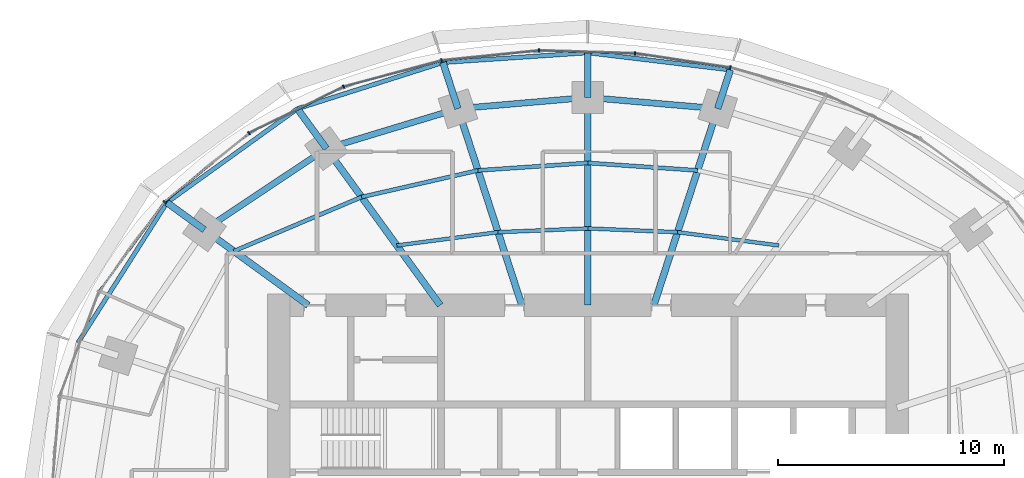
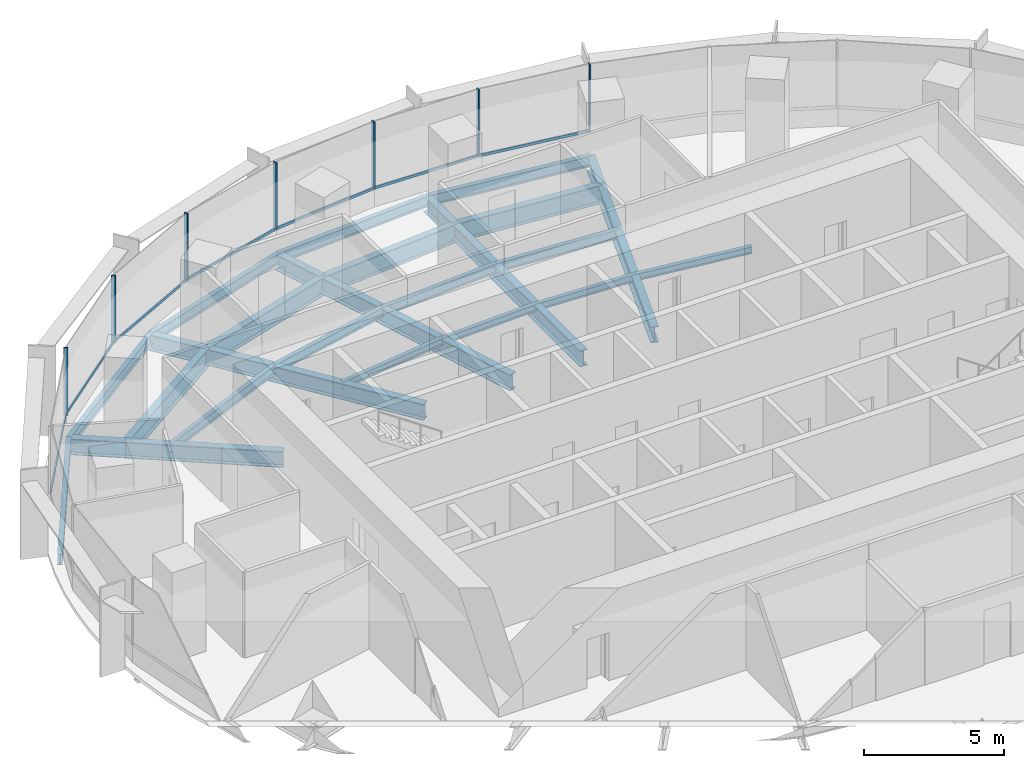
# One storey, part 7 of 14: 27 beams, 14 members, 2 elements without a shape of their own.
"""IFC4 building model written with IfcOpenShell, lengths in metres."""

from ifc_helpers import new_model, si_unit, direction, frame, origin, origin_2d, place, context, subcontext, project, spatial, rectangle, i_section, extrude, material, material_profile, profile_set, type_object, element, aggregate, save


model = new_model("IFC4")

# Units and contexts
model_context = context("Model", 3, precision=1e-05, world=origin(), true_north=direction((0.0, 1.0)))
body_context = subcontext(model_context, "Body", "Model", "MODEL_VIEW")
ifc_project = project(units=[si_unit("LENGTHUNIT", "METRE"), si_unit("AREAUNIT", "SQUARE_METRE"), si_unit("VOLUMEUNIT", "CUBIC_METRE"), si_unit("PLANEANGLEUNIT", "RADIAN"), si_unit("MASSUNIT", "GRAM", prefix="KILO")], contexts=[model_context])

# Site, building, storey
site_placement = place(None, origin())
site = spatial("IfcSite", under=ifc_project, at=site_placement, CompositionType="ELEMENT")
building_placement = place(site_placement, origin())
building = spatial("IfcBuilding", under=site, at=building_placement, Name="Marramba Exchange Tower", CompositionType="ELEMENT")
storey_placement = place(building_placement, frame((0.0, 0.0, 195.5)))
storey = spatial("IfcBuildingStorey", under=building, at=storey_placement, Name="L47", CompositionType="ELEMENT", Elevation=195.5)

# Beams
ifc_material_1 = material(Name="Steel AS/NZS 3679.2 grade 300", Category="steel")
ifc_material_profile_1 = material_profile(ifc_material_1, i_section(OverallWidth=0.300048828125, OverallDepth=0.699951171875, WebThickness=0.010009765625, FlangeThickness=0.031982421875, at=origin_2d()), Name="700WB173")
ifc_profile_set_1 = profile_set([ifc_material_profile_1], Name="Steel AS/NZS 3679.2 grade 300")
beam_type_1 = type_object("IfcBeamType", Name="Cantilever girder 700WB173", PredefinedType="BEAM", material=ifc_profile_set_1)
beam_1_placement = place(storey_placement, frame((5.75390625, 17.70849609375, -0.510009765625), z_axis=(0.308960771946, 0.951074782232, 0.0), x_axis=(-0.951074782232, 0.308960771946, 0.0)))
element("IfcBeam", 1, at=beam_1_placement, inside=storey, type_object=beam_type_1, Name="Cantilever girder L47 TC05", PredefinedType="BEAM", context=body_context, shape_type="SweptSolid", body=[
    extrude(i_section(OverallWidth=0.300048828125, OverallDepth=0.699951171875, WebThickness=0.010009765625, FlangeThickness=0.031982421875, at=origin_2d()), origin(), (0.0, 0.0, 1.0), 1.806396484375),
])
beam_2_placement = place(storey_placement, frame((0.0, 18.2041015625, -0.510009765625), z_axis=(0.0, 1.0, 0.0), x_axis=(-1.0, 0.0, 0.0)))
element("IfcBeam", 2, at=beam_2_placement, inside=storey, type_object=beam_type_1, Name="Cantilever girder L47 TC06", PredefinedType="BEAM", context=body_context, shape_type="SweptSolid", body=[
    extrude(i_section(OverallWidth=0.300048828125, OverallDepth=0.699951171875, WebThickness=0.010009765625, FlangeThickness=0.031982421875, at=origin_2d()), origin(), (0.0, 0.0, 1.0), 1.982177734375),
])
beam_3_placement = place(storey_placement, frame((-5.75390625, 17.70849609375, -0.510009765625), z_axis=(-0.308998798068, 0.951062428441, 0.0), x_axis=(-0.951062428441, -0.308998798068, 0.0)))
element("IfcBeam", 3, at=beam_3_placement, inside=storey, type_object=beam_type_1, Name="Cantilever girder L47 TC07", PredefinedType="BEAM", context=body_context, shape_type="SweptSolid", body=[
    extrude(i_section(OverallWidth=0.300048828125, OverallDepth=0.699951171875, WebThickness=0.010009765625, FlangeThickness=0.031982421875, at=origin_2d()), origin(), (0.0, 0.0, 1.0), 2.150634765625),
])
beam_4_placement = place(storey_placement, frame((-11.581298828125, 15.9404296875, -0.510009765625), z_axis=(-0.587832433352, 0.808982713226, 0.0), x_axis=(-0.808982713226, -0.587832433352, 0.0)))
element("IfcBeam", 4, at=beam_4_placement, inside=storey, type_object=beam_type_1, Name="Cantilever girder L47 TC08", PredefinedType="BEAM", context=body_context, shape_type="SweptSolid", body=[
    extrude(i_section(OverallWidth=0.300048828125, OverallDepth=0.699951171875, WebThickness=0.010009765625, FlangeThickness=0.031982421875, at=origin_2d()), origin(), (0.0, 0.0, 1.0), 2.1826171875),
])
beam_5_placement = place(storey_placement, frame((-16.98583984375, 12.3408203125, -0.510009765625), z_axis=(-0.808962446125, 0.587860324192, 0.0), x_axis=(-0.587860324192, -0.808962446125, 0.0)))
element("IfcBeam", 5, at=beam_5_placement, inside=storey, type_object=beam_type_1, Name="Cantilever girder L47 TC09", PredefinedType="BEAM", context=body_context, shape_type="SweptSolid", body=[
    extrude(i_section(OverallWidth=0.300048828125, OverallDepth=0.699951171875, WebThickness=0.010009765625, FlangeThickness=0.031982421875, at=origin_2d()), origin(), (0.0, 0.0, 1.0), 2.051513671875),
])
ifc_material_2 = material(Name="Steel AS/NZS 3679.1 grade 300", Category="steel")
ifc_material_profile_2 = material_profile(ifc_material_2, i_section(OverallWidth=0.166015625, OverallDepth=0.306884765625, WebThickness=0.006591796875, FlangeThickness=0.01171875, FilletRadius=0.011474609375, at=origin_2d()), Name="310UB46.2")
ifc_profile_set_2 = profile_set([ifc_material_profile_2], Name="Steel AS/NZS 3679.1 grade 300")
beam_type_2 = type_object("IfcBeamType", Name="Floor joist 310UB46.2", PredefinedType="JOIST", material=ifc_profile_set_2)
beam_6_placement = place(storey_placement, frame((8.4619140625, 11.646728515625, -0.3134765625), z_axis=(-0.991480538255, 0.130254912618, 0.0), x_axis=(-0.130254912618, -0.991480538255, 0.0)))
element("IfcBeam", 6, at=beam_6_placement, inside=storey, type_object=beam_type_2, Name="Joist L47 bay 04 row 1", PredefinedType="JOIST", context=body_context, shape_type="SweptSolid", body=[
    extrude(i_section(OverallWidth=0.166015625, OverallDepth=0.306884765625, WebThickness=0.006591796875, FlangeThickness=0.01171875, FilletRadius=0.011474609375, at=origin_2d()), origin(), (0.0, 0.0, 1.0), 4.524658203125),
])
for number, where, z_axis, x_axis, name in (
    (7, (3.975830078125, 12.236083984375, -0.3134765625), (-0.999137002892, 0.041536122257, 0.0), (-0.041536122257, -0.999137002892, 0.0), "Joist L47 bay 05 row 1"),
    (8, (0.0, 12.4013671875, -0.3134765625), (-0.999137002892, -0.041536122257, 0.0), (0.041536122257, -0.999137002892, 0.0), "Joist L47 bay 06 row 1"),
):
    element("IfcBeam", number, at=place(storey_placement, frame(where, z_axis=z_axis, x_axis=x_axis)), inside=storey, type_object=beam_type_2, Name=name, PredefinedType="JOIST", context=body_context, shape_type="SweptSolid", body=[
        extrude(i_section(OverallWidth=0.166015625, OverallDepth=0.306884765625, WebThickness=0.006591796875, FlangeThickness=0.01171875, FilletRadius=0.011474609375, at=origin_2d()), origin(), (0.0, 0.0, 1.0), 3.979248046875),
    ])
beam_7_placement = place(storey_placement, frame((-3.975830078125, 12.236083984375, -0.3134765625), z_axis=(-0.991480538255, -0.130254912618, 0.0), x_axis=(0.130254912618, -0.991480538255, 0.0)))
element("IfcBeam", 9, at=beam_7_placement, inside=storey, type_object=beam_type_2, Name="Joist L47 bay 07 row 1", PredefinedType="JOIST", context=body_context, shape_type="SweptSolid", body=[
    extrude(i_section(OverallWidth=0.166015625, OverallDepth=0.306884765625, WebThickness=0.006591796875, FlangeThickness=0.01171875, FilletRadius=0.011474609375, at=origin_2d()), origin(), (0.0, 0.0, 1.0), 4.524658203125),
])
ifc_material_profile_3 = material_profile(ifc_material_2, i_section(OverallWidth=0.177978515625, OverallDepth=0.406005859375, WebThickness=0.0078125, FlangeThickness=0.0126953125, FilletRadius=0.011474609375, at=origin_2d()), Name="410UB59.7")
ifc_profile_set_3 = profile_set([ifc_material_profile_3], Name="Steel AS/NZS 3679.1 grade 300")
beam_type_3 = type_object("IfcBeamType", Name="Floor joist 410UB59.7", PredefinedType="JOIST", material=ifc_profile_set_3)
for number, where, z_axis, x_axis, name in (
    (10, (4.86474609375, 14.972412109375, -0.363037109375), (-0.997702652202, 0.067745241816, 0.0), (-0.067745241816, -0.997702652202, 0.0), "Joist L47 bay 05 row 2"),
    (11, (0.0, 15.302734375, -0.363037109375), (-0.997702652202, -0.067745241816, 0.0), (0.067745241816, -0.997702652202, 0.0), "Joist L47 bay 06 row 2"),
):
    element("IfcBeam", number, at=place(storey_placement, frame(where, z_axis=z_axis, x_axis=x_axis)), inside=storey, type_object=beam_type_3, Name=name, PredefinedType="JOIST", context=body_context, shape_type="SweptSolid", body=[
        extrude(i_section(OverallWidth=0.177978515625, OverallDepth=0.406005859375, WebThickness=0.0078125, FlangeThickness=0.0126953125, FilletRadius=0.011474609375, at=origin_2d()), origin(), (0.0, 0.0, 1.0), 4.8759765625),
    ])
beam_8_placement = place(storey_placement, frame((-4.86474609375, 14.972412109375, -0.363037109375), z_axis=(-0.974859652292, -0.222819788916, 0.0), x_axis=(0.222819788916, -0.974859652292, 0.0)))
element("IfcBeam", 12, at=beam_8_placement, inside=storey, type_object=beam_type_3, Name="Joist L47 bay 07 row 2", PredefinedType="JOIST", context=body_context, shape_type="SweptSolid", body=[
    extrude(i_section(OverallWidth=0.177978515625, OverallDepth=0.406005859375, WebThickness=0.0078125, FlangeThickness=0.0126953125, FilletRadius=0.011474609375, at=origin_2d()), origin(), (0.0, 0.0, 1.0), 5.2900390625),
])
beam_9_placement = place(storey_placement, frame((-10.021728515625, 13.793701171875, -0.363037109375), z_axis=(-0.920674336375, -0.390331610738, 0.0), x_axis=(0.390331610738, -0.920674336375, 0.0)))
element("IfcBeam", 13, at=beam_9_placement, inside=storey, type_object=beam_type_3, Name="Joist L47 bay 08 row 2", PredefinedType="JOIST", context=body_context, shape_type="SweptSolid", body=[
    extrude(i_section(OverallWidth=0.177978515625, OverallDepth=0.406005859375, WebThickness=0.0078125, FlangeThickness=0.0126953125, FilletRadius=0.011474609375, at=origin_2d()), origin(), (0.0, 0.0, 1.0), 6.1484375),
])

# Curtain wall, members
ifc_material_3 = material(Name="Aluminium framing, bronze anodised", Category="aluminium")
curtain_wall_type = type_object("IfcCurtainWallType", Name="Office ribbon curtain wall", PredefinedType="USERDEFINED", material=ifc_material_3)
curtain_wall_1_placement = place(storey_placement, origin())
curtain_wall_1 = element("IfcCurtainWall", 14, at=curtain_wall_1_placement, inside=storey, type_object=curtain_wall_type, Name="Curtain wall CW4 L47 F06-F10", ObjectType="RIBBON CURTAIN WALL", PredefinedType="USERDEFINED")
ifc_material_4 = material(Name="Aluminium mullion, bronze anodised", Category="aluminium")
ifc_material_profile_4 = material_profile(ifc_material_4, rectangle(XDim=0.159912109375, YDim=0.06005859375, at=origin_2d()), Name="CW4 mullion 60x160")
ifc_profile_set_4 = profile_set([ifc_material_profile_4], Name="Aluminium mullion, bronze anodised")
member_type_1 = type_object("IfcMemberType", Name="Office ribbon curtain wall mullion", PredefinedType="MULLION", material=ifc_profile_set_4)
member_1_placement = place(storey_placement, frame((6.313232421875, 19.526123046875, 0.800048828125), z_axis=(0.0, 0.0, 1.0), x_axis=(-0.148794988635, -0.988868065698, 0.0)))
member_1 = element("IfcMember", 15, at=member_1_placement, type_object=member_type_1, Name="CW4 mullion 1", PredefinedType="MULLION", context=body_context, shape_type="SweptSolid", body=[
    extrude(rectangle(XDim=0.159912109375, YDim=0.06005859375, at=origin_2d()), origin(), (0.0, 0.0, 1.0), 2.93994140625),
])
member_2_placement = place(storey_placement, frame((2.088623046875, 20.158203125, 0.800048828125), z_axis=(0.0, 0.0, 1.0), x_axis=(-0.03039385249, -0.999538000143, 0.0)))
member_2 = element("IfcMember", 16, at=member_2_placement, type_object=member_type_1, Name="CW4 mullion 1", PredefinedType="MULLION", context=body_context, shape_type="SweptSolid", body=[
    extrude(rectangle(XDim=0.159912109375, YDim=0.06005859375, at=origin_2d()), origin(), (0.0, 0.0, 1.0), 2.93994140625),
])
member_3_placement = place(storey_placement, frame((-2.162109375, 20.28369140625, 0.800048828125), z_axis=(0.0, 0.0, 1.0), x_axis=(0.100862673507, -0.994900357369, 0.0)))
member_3 = element("IfcMember", 17, at=member_3_placement, type_object=member_type_1, Name="CW4 mullion 1", PredefinedType="MULLION", context=body_context, shape_type="SweptSolid", body=[
    extrude(rectangle(XDim=0.159912109375, YDim=0.06005859375, at=origin_2d()), origin(), (0.0, 0.0, 1.0), 2.93994140625),
])
member_4_placement = place(storey_placement, frame((-6.478271484375, 19.84130859375, 0.800048828125), z_axis=(0.0, 0.0, 1.0), x_axis=(0.257641223778, -0.966240653155, 0.0)))
member_4 = element("IfcMember", 18, at=member_4_placement, type_object=member_type_1, Name="CW4 mullion 1", PredefinedType="MULLION", context=body_context, shape_type="SweptSolid", body=[
    extrude(rectangle(XDim=0.159912109375, YDim=0.06005859375, at=origin_2d()), origin(), (0.0, 0.0, 1.0), 2.93994140625),
])

curtain_wall_2_placement = place(storey_placement, origin())
curtain_wall_2 = element("IfcCurtainWall", 19, at=curtain_wall_2_placement, inside=storey, type_object=curtain_wall_type, Name="Curtain wall CW4 L47 F11-F15", ObjectType="RIBBON CURTAIN WALL", PredefinedType="USERDEFINED")
member_5_placement = place(storey_placement, frame((-10.818359375, 18.677978515625, 0.800048828125), z_axis=(0.0, 0.0, 1.0), x_axis=(0.438972456661, -0.898500518805, 0.0)))
member_5 = element("IfcMember", 20, at=member_5_placement, type_object=member_type_1, Name="CW4 mullion 1", PredefinedType="MULLION", context=body_context, shape_type="SweptSolid", body=[
    extrude(rectangle(XDim=0.159912109375, YDim=0.06005859375, at=origin_2d()), origin(), (0.0, 0.0, 1.0), 2.93994140625),
])
member_6_placement = place(storey_placement, frame((-15.008056640625, 16.62353515625, 0.800048828125), z_axis=(0.0, 0.0, 1.0), x_axis=(0.630200830464, -0.776432169145, 0.0)))
member_6 = element("IfcMember", 21, at=member_6_placement, type_object=member_type_1, Name="CW4 mullion 1", PredefinedType="MULLION", context=body_context, shape_type="SweptSolid", body=[
    extrude(rectangle(XDim=0.159912109375, YDim=0.06005859375, at=origin_2d()), origin(), (0.0, 0.0, 1.0), 2.93994140625),
])
member_7_placement = place(storey_placement, frame((-18.744140625, 13.581298828125, 0.800048828125), z_axis=(0.0, 0.0, 1.0), x_axis=(0.805965197024, -0.591962922138, 0.0)))
member_7 = element("IfcMember", 22, at=member_7_placement, type_object=member_type_1, Name="CW4 mullion 1", PredefinedType="MULLION", context=body_context, shape_type="SweptSolid", body=[
    extrude(rectangle(XDim=0.159912109375, YDim=0.06005859375, at=origin_2d()), origin(), (0.0, 0.0, 1.0), 2.93994140625),
])

# Member
ifc_material_5 = material(Name="Aluminium transom, bronze anodised", Category="aluminium")
ifc_material_profile_5 = material_profile(ifc_material_5, rectangle(XDim=0.06005859375, YDim=0.1201171875, at=origin_2d()), Name="CW4 transom 60x120")
ifc_profile_set_5 = profile_set([ifc_material_profile_5], Name="Aluminium transom, bronze anodised")
member_type_2 = type_object("IfcMemberType", Name="Office ribbon curtain wall transom", PredefinedType="USERDEFINED", material=ifc_profile_set_5)
member_8_placement = place(storey_placement, frame((6.28369140625, 19.53076171875, 0.830078125), z_axis=(-0.988868222508, 0.148793946493, 0.0), x_axis=(-0.148793946493, -0.988868222508, 0.0)))
member_8 = element("IfcMember", 23, at=member_8_placement, type_object=member_type_2, Name="CW4 sill transom", ObjectType="TRANSOM", PredefinedType="USERDEFINED", context=body_context, shape_type="SweptSolid", body=[
    extrude(rectangle(XDim=0.06005859375, YDim=0.1201171875, at=origin_2d()), origin(), (0.0, 0.0, 1.0), 4.2119140625),
])

member_9_placement = place(storey_placement, frame((2.05859375, 20.1591796875, 0.830078125), z_axis=(-0.99953796835, 0.030394898024, 0.0), x_axis=(-0.030394898024, -0.99953796835, 0.0)))
member_9 = element("IfcMember", 24, at=member_9_placement, type_object=member_type_2, Name="CW4 sill transom", ObjectType="TRANSOM", PredefinedType="USERDEFINED", context=body_context, shape_type="SweptSolid", body=[
    extrude(rectangle(XDim=0.06005859375, YDim=0.1201171875, at=origin_2d()), origin(), (0.0, 0.0, 1.0), 4.19287109375),
])

member_10_placement = place(storey_placement, frame((-2.19189453125, 20.280517578125, 0.830078125), z_axis=(-0.99489954864, -0.100870650418, 0.0), x_axis=(0.100870650418, -0.99489954864, 0.0)))
member_10 = element("IfcMember", 25, at=member_10_placement, type_object=member_type_2, Name="CW4 sill transom", ObjectType="TRANSOM", PredefinedType="USERDEFINED", context=body_context, shape_type="SweptSolid", body=[
    extrude(rectangle(XDim=0.06005859375, YDim=0.1201171875, at=origin_2d()), origin(), (0.0, 0.0, 1.0), 4.279052734375),
])

member_11_placement = place(storey_placement, frame((-6.50732421875, 19.83349609375, 0.830078125), z_axis=(-0.966237681407, -0.25765236857, 0.0), x_axis=(0.25765236857, -0.966237681407, 0.0)))
member_11 = element("IfcMember", 26, at=member_11_placement, type_object=member_type_2, Name="CW4 sill transom", ObjectType="TRANSOM", PredefinedType="USERDEFINED", context=body_context, shape_type="SweptSolid", body=[
    extrude(rectangle(XDim=0.06005859375, YDim=0.1201171875, at=origin_2d()), origin(), (0.0, 0.0, 1.0), 4.43359375),
])

aggregate(curtain_wall_1, [member_1, member_8, member_2, member_9, member_3, member_10, member_4, member_11])

member_12_placement = place(storey_placement, frame((-10.84521484375, 18.664794921875, 0.830078125), z_axis=(-0.898501418486, -0.438970615165, 0.0), x_axis=(0.438970615165, -0.898501418486, 0.0)))
member_12 = element("IfcMember", 27, at=member_12_placement, type_object=member_type_2, Name="CW4 sill transom", ObjectType="TRANSOM", PredefinedType="USERDEFINED", context=body_context, shape_type="SweptSolid", body=[
    extrude(rectangle(XDim=0.06005859375, YDim=0.1201171875, at=origin_2d()), origin(), (0.0, 0.0, 1.0), 4.607177734375),
])

member_13_placement = place(storey_placement, frame((-15.031494140625, 16.6044921875, 0.830078125), z_axis=(-0.776424623019, -0.630210127473, 0.0), x_axis=(0.630210127473, -0.776424623019, 0.0)))
member_13 = element("IfcMember", 28, at=member_13_placement, type_object=member_type_2, Name="CW4 sill transom", ObjectType="TRANSOM", PredefinedType="USERDEFINED", context=body_context, shape_type="SweptSolid", body=[
    extrude(rectangle(XDim=0.06005859375, YDim=0.1201171875, at=origin_2d()), origin(), (0.0, 0.0, 1.0), 4.7587890625),
])

member_14_placement = place(storey_placement, frame((-18.761962890625, 13.55712890625, 0.830078125), z_axis=(-0.591957380483, -0.805969267213, 0.0), x_axis=(0.805969267213, -0.591957380483, 0.0)))
member_14 = element("IfcMember", 29, at=member_14_placement, type_object=member_type_2, Name="CW4 sill transom", ObjectType="TRANSOM", PredefinedType="USERDEFINED", context=body_context, shape_type="SweptSolid", body=[
    extrude(rectangle(XDim=0.06005859375, YDim=0.1201171875, at=origin_2d()), origin(), (0.0, 0.0, 1.0), 4.865478515625),
])

aggregate(curtain_wall_2, [member_5, member_12, member_6, member_13, member_7, member_14])

# Beams
ifc_material_profile_6 = material_profile(ifc_material_1, i_section(OverallWidth=0.300048828125, OverallDepth=0.699951171875, WebThickness=0.010009765625, FlangeThickness=0.031982421875, at=origin_2d()), Name="700WB173")
ifc_profile_set_6 = profile_set([ifc_material_profile_6], Name="Steel AS/NZS 3679.2 grade 300")
beam_type_4 = type_object("IfcBeamType", Name="Radial girder 700WB173", PredefinedType="BEAM", material=ifc_profile_set_6)
beam_10_placement = place(storey_placement, frame((2.92431640625, 9.0, -0.510009765625), z_axis=(0.309019754162, 0.951055619582, 0.0), x_axis=(-0.951055619582, 0.309019754162, 0.0)))
element("IfcBeam", 30, at=beam_10_placement, inside=storey, type_object=beam_type_4, Name="Radial girder L47 TC05", PredefinedType="BEAM", context=body_context, shape_type="SweptSolid", body=[
    extrude(i_section(OverallWidth=0.300048828125, OverallDepth=0.699951171875, WebThickness=0.010009765625, FlangeThickness=0.031982421875, at=origin_2d()), origin(), (0.0, 0.0, 1.0), 9.15673828125),
])
beam_11_placement = place(storey_placement, frame((0.0, 9.0, -0.510009765625), z_axis=(0.0, 1.0, 0.0), x_axis=(-1.0, 0.0, 0.0)))
element("IfcBeam", 31, at=beam_11_placement, inside=storey, type_object=beam_type_4, Name="Radial girder L47 TC06", PredefinedType="BEAM", context=body_context, shape_type="SweptSolid", body=[
    extrude(i_section(OverallWidth=0.300048828125, OverallDepth=0.699951171875, WebThickness=0.010009765625, FlangeThickness=0.031982421875, at=origin_2d()), origin(), (0.0, 0.0, 1.0), 9.2041015625),
])
beam_12_placement = place(storey_placement, frame((-2.92431640625, 9.0, -0.510009765625), z_axis=(-0.309019754162, 0.951055619582, 0.0), x_axis=(-0.951055619582, -0.309019754162, 0.0)))
element("IfcBeam", 32, at=beam_12_placement, inside=storey, type_object=beam_type_4, Name="Radial girder L47 TC07", PredefinedType="BEAM", context=body_context, shape_type="SweptSolid", body=[
    extrude(i_section(OverallWidth=0.300048828125, OverallDepth=0.699951171875, WebThickness=0.010009765625, FlangeThickness=0.031982421875, at=origin_2d()), origin(), (0.0, 0.0, 1.0), 9.15673828125),
])
beam_13_placement = place(storey_placement, frame((-6.538818359375, 9.0, -0.510009765625), z_axis=(-0.587782439969, 0.80901903764, 0.0), x_axis=(-0.80901903764, -0.587782439969, 0.0)))
element("IfcBeam", 33, at=beam_13_placement, inside=storey, type_object=beam_type_4, Name="Radial girder L47 TC08", PredefinedType="BEAM", context=body_context, shape_type="SweptSolid", body=[
    extrude(i_section(OverallWidth=0.300048828125, OverallDepth=0.699951171875, WebThickness=0.010009765625, FlangeThickness=0.031982421875, at=origin_2d()), origin(), (0.0, 0.0, 1.0), 8.578857421875),
])
beam_14_placement = place(storey_placement, frame((-12.387451171875, 9.0, -0.510009765625), z_axis=(-0.809025746925, 0.587773205252, 0.0), x_axis=(-0.587773205252, -0.809025746925, 0.0)))
element("IfcBeam", 34, at=beam_14_placement, inside=storey, type_object=beam_type_4, Name="Radial girder L47 TC09", PredefinedType="BEAM", context=body_context, shape_type="SweptSolid", body=[
    extrude(i_section(OverallWidth=0.300048828125, OverallDepth=0.699951171875, WebThickness=0.010009765625, FlangeThickness=0.031982421875, at=origin_2d()), origin(), (0.0, 0.0, 1.0), 5.683837890625),
])
ifc_material_profile_7 = material_profile(ifc_material_1, i_section(OverallWidth=0.27490234375, OverallDepth=0.800048828125, WebThickness=0.010009765625, FlangeThickness=0.02490234375, at=origin_2d()), Name="800WB168")
ifc_profile_set_7 = profile_set([ifc_material_profile_7], Name="Steel AS/NZS 3679.2 grade 300")
beam_type_5 = type_object("IfcBeamType", Name="Ring beam 800WB168", PredefinedType="SPANDREL", material=ifc_profile_set_7)
for number, where, z_axis, x_axis, name in (
    (35, (5.75390625, 17.70849609375, -0.56005859375), (-0.996311003275, 0.085815993578, 0.0), (-0.085815993578, -0.996311003275, 0.0), "Ring beam L47 TC05-TC06"),
    (36, (0.0, 18.2041015625, -0.56005859375), (-0.996311003275, -0.085815993578, 0.0), (0.085815993578, -0.996311003275, 0.0), "Ring beam L47 TC06-TC07"),
):
    element("IfcBeam", number, at=place(storey_placement, frame(where, z_axis=z_axis, x_axis=x_axis)), inside=storey, type_object=beam_type_5, Name=name, PredefinedType="SPANDREL", context=body_context, shape_type="SweptSolid", body=[
        extrude(i_section(OverallWidth=0.27490234375, OverallDepth=0.800048828125, WebThickness=0.010009765625, FlangeThickness=0.02490234375, at=origin_2d()), origin(), (0.0, 0.0, 1.0), 5.775146484375),
    ])
beam_15_placement = place(storey_placement, frame((-5.75390625, 17.70849609375, -0.56005859375), z_axis=(-0.956924542524, -0.290336735387, 0.0), x_axis=(0.290336735387, -0.956924542524, 0.0)))
element("IfcBeam", 37, at=beam_15_placement, inside=storey, type_object=beam_type_5, Name="Ring beam L47 TC07-TC08", PredefinedType="SPANDREL", context=body_context, shape_type="SweptSolid", body=[
    extrude(i_section(OverallWidth=0.27490234375, OverallDepth=0.800048828125, WebThickness=0.010009765625, FlangeThickness=0.02490234375, at=origin_2d()), origin(), (0.0, 0.0, 1.0), 6.089599609375),
])
beam_16_placement = place(storey_placement, frame((-11.581298828125, 15.9404296875, -0.56005859375), z_axis=(-0.832293151443, -0.554335737673, 0.0), x_axis=(0.554335737673, -0.832293151443, 0.0)))
element("IfcBeam", 38, at=beam_16_placement, inside=storey, type_object=beam_type_5, Name="Ring beam L47 TC08-TC09", PredefinedType="SPANDREL", context=body_context, shape_type="SweptSolid", body=[
    extrude(i_section(OverallWidth=0.27490234375, OverallDepth=0.800048828125, WebThickness=0.010009765625, FlangeThickness=0.02490234375, at=origin_2d()), origin(), (0.0, 0.0, 1.0), 6.49365234375),
])
ifc_material_profile_8 = material_profile(ifc_material_2, i_section(OverallWidth=0.19091796875, OverallDepth=0.4599609375, WebThickness=0.010009765625, FlangeThickness=0.01611328125, FilletRadius=0.011474609375, at=origin_2d()), Name="460UB82.1")
ifc_profile_set_8 = profile_set([ifc_material_profile_8], Name="Steel AS/NZS 3679.1 grade 300")
beam_type_6 = type_object("IfcBeamType", Name="Slab edge beam 460UB82.1", PredefinedType="SPANDREL", material=ifc_profile_set_8)
beam_17_placement = place(storey_placement, frame((6.31201171875, 19.426513671875, -0.389892578125), z_axis=(-0.992833525914, 0.119505605811, 0.0), x_axis=(-0.119505605811, -0.992833525914, 0.0)))
element("IfcBeam", 39, at=beam_17_placement, inside=storey, type_object=beam_type_6, Name="Slab edge beam L47 TC05-TC06", PredefinedType="SPANDREL", context=body_context, shape_type="SweptSolid", body=[
    extrude(i_section(OverallWidth=0.19091796875, OverallDepth=0.4599609375, WebThickness=0.010009765625, FlangeThickness=0.01611328125, FilletRadius=0.011474609375, at=origin_2d()), origin(), (0.0, 0.0, 1.0), 6.357666015625),
])
beam_18_placement = place(storey_placement, frame((0.0, 20.186279296875, -0.389892578125), z_axis=(-0.997738737775, -0.06721168903, 0.0), x_axis=(0.06721168903, -0.997738737775, 0.0)))
element("IfcBeam", 40, at=beam_18_placement, inside=storey, type_object=beam_type_6, Name="Slab edge beam L47 TC06-TC07", PredefinedType="SPANDREL", context=body_context, shape_type="SweptSolid", body=[
    extrude(i_section(OverallWidth=0.19091796875, OverallDepth=0.4599609375, WebThickness=0.010009765625, FlangeThickness=0.01611328125, FilletRadius=0.011474609375, at=origin_2d()), origin(), (0.0, 0.0, 1.0), 6.43310546875),
])
beam_19_placement = place(storey_placement, frame((-6.41845703125, 19.75390625, -0.389892578125), z_axis=(-0.953057484675, -0.302789416766, 0.0), x_axis=(0.302789416766, -0.953057484675, 0.0)))
element("IfcBeam", 41, at=beam_19_placement, inside=storey, type_object=beam_type_6, Name="Slab edge beam L47 TC07-TC08", PredefinedType="SPANDREL", context=body_context, shape_type="SweptSolid", body=[
    extrude(i_section(OverallWidth=0.19091796875, OverallDepth=0.4599609375, WebThickness=0.010009765625, FlangeThickness=0.01611328125, FilletRadius=0.011474609375, at=origin_2d()), origin(), (0.0, 0.0, 1.0), 6.76318359375),
])
beam_20_placement = place(storey_placement, frame((-12.8642578125, 17.7060546875, -0.389892578125), z_axis=(-0.811755352788, -0.583997643163, 0.0), x_axis=(0.583997643163, -0.811755352788, 0.0)))
element("IfcBeam", 42, at=beam_20_placement, inside=storey, type_object=beam_type_6, Name="Slab edge beam L47 TC08-TC09", PredefinedType="SPANDREL", context=body_context, shape_type="SweptSolid", body=[
    extrude(i_section(OverallWidth=0.19091796875, OverallDepth=0.4599609375, WebThickness=0.010009765625, FlangeThickness=0.01611328125, FilletRadius=0.011474609375, at=origin_2d()), origin(), (0.0, 0.0, 1.0), 7.121826171875),
])
beam_21_placement = place(storey_placement, frame((-18.6455078125, 13.546875, -0.389892578125), z_axis=(-0.535794396634, -0.844348485245, 0.0), x_axis=(0.844348485245, -0.535794396634, 0.0)))
element("IfcBeam", 43, at=beam_21_placement, inside=storey, type_object=beam_type_6, Name="Slab edge beam L47 TC09-TC10", PredefinedType="SPANDREL", context=body_context, shape_type="SweptSolid", body=[
    extrude(i_section(OverallWidth=0.19091796875, OverallDepth=0.4599609375, WebThickness=0.010009765625, FlangeThickness=0.01611328125, FilletRadius=0.011474609375, at=origin_2d()), origin(), (0.0, 0.0, 1.0), 7.35302734375),
])

save(model, "model.ifc")
